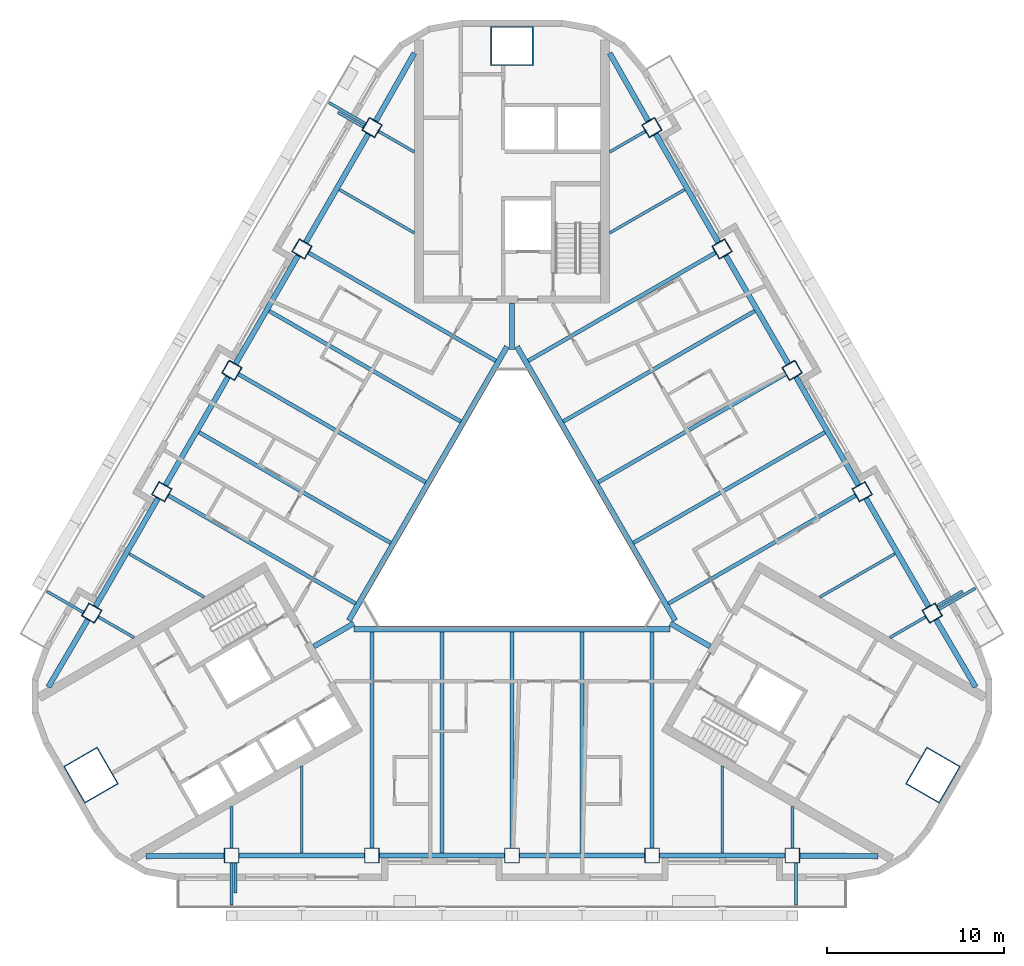
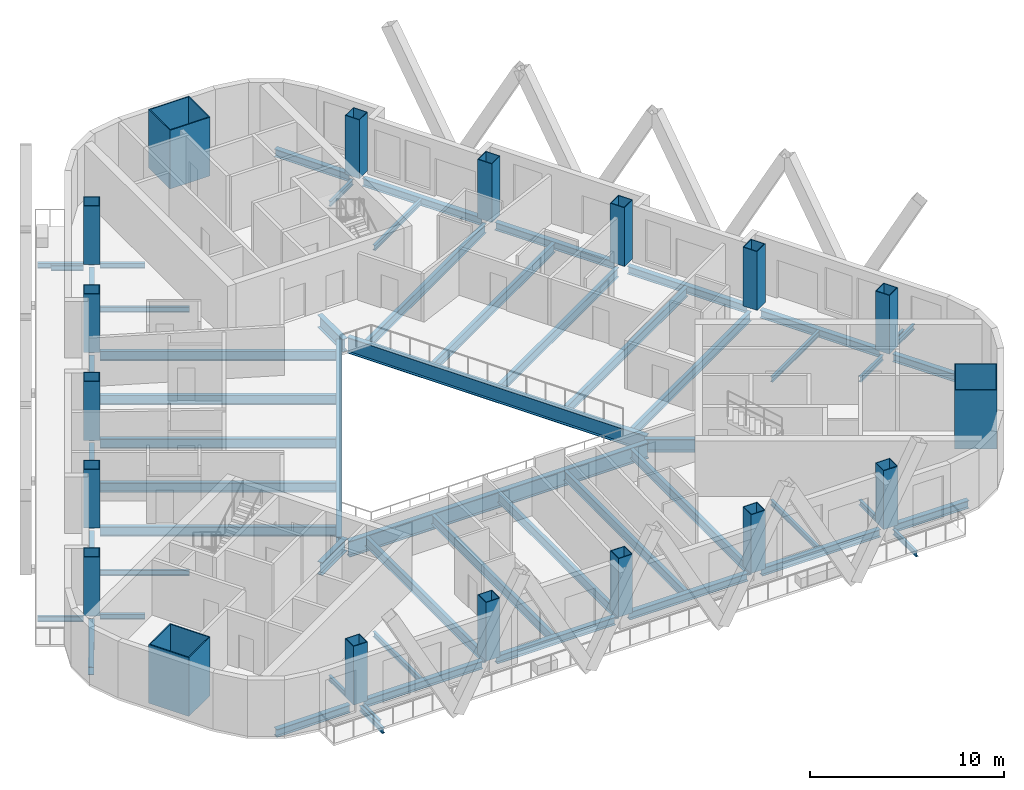
# One storey, part 1 of 14: 59 beams, 18 columns.
"""IFC4 building model written with IfcOpenShell, lengths in metres."""

from ifc_helpers import new_model, si_unit, direction, frame, origin, origin_2d, place, context, subcontext, project, spatial, rectangle, hollow_rectangle, i_section, extrude, material, material_profile, profile_set, type_object, element, save


model = new_model("IFC4")

# Units and contexts
model_context = context("Model", 3, precision=1e-05, world=origin(), true_north=direction((0.0, 1.0)))
body_context = subcontext(model_context, "Body", "Model", "MODEL_VIEW")
ifc_project = project(units=[si_unit("LENGTHUNIT", "METRE"), si_unit("AREAUNIT", "SQUARE_METRE"), si_unit("VOLUMEUNIT", "CUBIC_METRE"), si_unit("PLANEANGLEUNIT", "RADIAN"), si_unit("MASSUNIT", "GRAM", prefix="KILO")], contexts=[model_context])

# Site, building, storey
site_placement = place(None, origin())
site = spatial("IfcSite", under=ifc_project, at=site_placement, CompositionType="ELEMENT")
building_placement = place(site_placement, origin())
building = spatial("IfcBuilding", under=site, at=building_placement, Name="Apuvela Tower Hotel", CompositionType="ELEMENT")
storey_placement = place(building_placement, frame((0.0, 0.0, 154.0)))
storey = spatial("IfcBuildingStorey", under=building, at=storey_placement, Name="L36", CompositionType="ELEMENT", Elevation=154.0)

# Columns
ifc_material_1 = material(Name="Steel S460", Category="steel")
ifc_material_profile_1 = material_profile(ifc_material_1, hollow_rectangle(XDim=2.39990234375, YDim=2.199951171875, WallThickness=0.06005859375, at=origin_2d()), Name="BOX 2400x2200x60")
ifc_material_2 = material(Name="Concrete C80/95", Category="concrete")
ifc_material_profile_2 = material_profile(ifc_material_2, rectangle(XDim=2.280029296875, YDim=2.080078125, at=origin_2d()), Name="Concrete C80/95 infill")
ifc_profile_set_1 = profile_set([ifc_material_profile_1, ifc_material_profile_2], Name="Steel S460")
column_type_1 = type_object("IfcColumnType", Name="STR-MC mega column BOX 2400x2200x60", PredefinedType="COLUMN", material=ifc_profile_set_1)
for number, where, z_axis, x_axis, name in (
    (1, (0.0, 27.39990234375, 0.0), (0.0, 0.0, 1.0), (1.0, 0.0, 0.0), "Mega column MC3 N"),
    (2, (-23.72900390625, -13.699951171875, 0.0), (0.0, 0.0, 1.0), (-0.5, 0.866025403784, 0.0), "Mega column MC3 SW"),
    (3, (23.72900390625, -13.699951171875, 0.0), (0.0, 0.0, 1.0), (0.5, 0.866025403784, 0.0), "Mega column MC3 SE"),
):
    element("IfcColumn", number, at=place(storey_placement, frame(where, z_axis=z_axis, x_axis=x_axis)), inside=storey, type_object=column_type_1, Name=name, PredefinedType="COLUMN", context=body_context, shape_type="SweptSolid", body=[
        extrude(hollow_rectangle(XDim=2.39990234375, YDim=2.199951171875, WallThickness=0.06005859375, at=origin_2d()), origin(), (0.0, 0.0, 1.0), 3.699951171875),
    ])
ifc_material_profile_3 = material_profile(ifc_material_1, hollow_rectangle(XDim=0.85009765625, YDim=0.85009765625, WallThickness=0.0400390625, at=origin_2d()), Name="BOX 850x850x40")
ifc_material_profile_4 = material_profile(ifc_material_2, rectangle(XDim=0.77001953125, YDim=0.77001953125, at=origin_2d()), Name="Concrete C80/95 infill")
ifc_profile_set_2 = profile_set([ifc_material_profile_3, ifc_material_profile_4], Name="Steel S460")
column_type_2 = type_object("IfcColumnType", Name="STR-PC perimeter column BOX 850x850x40", PredefinedType="COLUMN", material=ifc_profile_set_2)
for number, where, z_axis, x_axis, name in (
    (4, (-15.800048828125, -18.22998046875, 0.0), (0.0, 0.0, 1.0), (-1.0, 0.0, 0.0), "Perimeter column C4 S1"),
    (5, (-7.89990234375, -18.22998046875, 0.0), (0.0, 0.0, 1.0), (-1.0, 0.0, 0.0), "Perimeter column C4 S2"),
    (6, (0.0, -18.22998046875, 0.0), (0.0, 0.0, 1.0), (-1.0, 0.0, 0.0), "Perimeter column C4 S3"),
    (7, (7.89990234375, -18.22998046875, 0.0), (0.0, 0.0, 1.0), (-1.0, 0.0, 0.0), "Perimeter column C4 S4"),
    (8, (15.800048828125, -18.22998046875, 0.0), (0.0, 0.0, 1.0), (-1.0, 0.0, 0.0), "Perimeter column C4 S5"),
    (9, (23.6875, -4.568115234375, 0.0), (0.0, 0.0, 1.0), (-0.5, 0.866025403784, 0.0), "Perimeter column C4 NE1"),
    (10, (19.737548828125, 2.2734375, 0.0), (0.0, 0.0, 1.0), (-0.5, 0.866025403784, 0.0), "Perimeter column C4 NE2"),
    (11, (15.78759765625, 9.114990234375, 0.0), (0.0, 0.0, 1.0), (-0.5, 0.866025403784, 0.0), "Perimeter column C4 NE3"),
    (12, (11.837646484375, 15.95654296875, 0.0), (0.0, 0.0, 1.0), (-0.5, 0.866025403784, 0.0), "Perimeter column C4 NE4"),
    (13, (7.8876953125, 22.798095703125, 0.0), (0.0, 0.0, 1.0), (-0.5, 0.866025403784, 0.0), "Perimeter column C4 NE5"),
    (14, (-7.8876953125, 22.798095703125, 0.0), (0.0, 0.0, 1.0), (0.5, 0.866025403784, 0.0), "Perimeter column C4 NW1"),
    (15, (-11.837646484375, 15.95654296875, 0.0), (0.0, 0.0, 1.0), (0.5, 0.866025403784, 0.0), "Perimeter column C4 NW2"),
    (16, (-15.78759765625, 9.114990234375, 0.0), (0.0, 0.0, 1.0), (0.5, 0.866025403784, 0.0), "Perimeter column C4 NW3"),
    (17, (-19.737548828125, 2.2734375, 0.0), (0.0, 0.0, 1.0), (0.5, 0.866025403784, 0.0), "Perimeter column C4 NW4"),
    (18, (-23.6875, -4.568115234375, 0.0), (0.0, 0.0, 1.0), (0.5, 0.866025403784, 0.0), "Perimeter column C4 NW5"),
):
    element("IfcColumn", number, at=place(storey_placement, frame(where, z_axis=z_axis, x_axis=x_axis)), inside=storey, type_object=column_type_2, Name=name, PredefinedType="COLUMN", context=body_context, shape_type="SweptSolid", body=[
        extrude(hollow_rectangle(XDim=0.85009765625, YDim=0.85009765625, WallThickness=0.0400390625, at=origin_2d()), origin(), (0.0, 0.0, 1.0), 3.699951171875),
    ])

# Beams
ifc_material_3 = material(Name="Steel S355", Category="steel")
ifc_material_profile_5 = material_profile(ifc_material_3, i_section(OverallWidth=0.159912109375, OverallDepth=0.330078125, WebThickness=0.007568359375, FlangeThickness=0.011474609375, at=origin_2d()), Name="IPE 330")
ifc_profile_set_3 = profile_set([ifc_material_profile_5], Name="Steel S355")
beam_type_1 = type_object("IfcBeamType", Name="ENV-BALCONY-BEAM-IPE330", PredefinedType="BEAM", material=ifc_profile_set_3)
beam_1_placement = place(storey_placement, frame((-15.800048828125, -18.655029296875, -0.31494140625), z_axis=(0.0, -1.0, 0.0), x_axis=(1.0, 0.0, 0.0)))
element("IfcBeam", 19, at=beam_1_placement, inside=storey, type_object=beam_type_1, Name="Balcony cantilever beam S1 L36", PredefinedType="BEAM", context=body_context, shape_type="SweptSolid", body=[
    extrude(i_section(OverallWidth=0.159912109375, OverallDepth=0.330078125, WebThickness=0.007568359375, FlangeThickness=0.011474609375, at=origin_2d()), origin(), (0.0, 0.0, 1.0), 2.375),
])
beam_2_placement = place(storey_placement, frame((-15.580078125, -18.655029296875, -0.31494140625), z_axis=(0.0, -1.0, 0.0), x_axis=(1.0, 0.0, 0.0)))
element("IfcBeam", 20, at=beam_2_placement, inside=storey, type_object=beam_type_1, Name="Balcony cantilever beam S2 L36", PredefinedType="BEAM", context=body_context, shape_type="SweptSolid", body=[
    extrude(i_section(OverallWidth=0.159912109375, OverallDepth=0.330078125, WebThickness=0.007568359375, FlangeThickness=0.011474609375, at=origin_2d()), origin(), (0.0, 0.0, 1.0), 1.675048828125),
])
for number, where, z_axis, x_axis, name in (
    (21, (16.0, -18.655029296875, -0.31494140625), (0.0, -1.0, 0.0), (1.0, 0.0, 0.0), "Balcony cantilever beam S3 L36"),
    (22, (24.0556640625, -4.355712890625, -0.31494140625), (0.866033238375, 0.499986429846, 0.0), (-0.499986429846, 0.866033238375, 0.0), "Balcony cantilever beam NE1 L36"),
):
    element("IfcBeam", number, at=place(storey_placement, frame(where, z_axis=z_axis, x_axis=x_axis)), inside=storey, type_object=beam_type_1, Name=name, PredefinedType="BEAM", context=body_context, shape_type="SweptSolid", body=[
        extrude(i_section(OverallWidth=0.159912109375, OverallDepth=0.330078125, WebThickness=0.007568359375, FlangeThickness=0.011474609375, at=origin_2d()), origin(), (0.0, 0.0, 1.0), 2.375),
    ])
beam_3_placement = place(storey_placement, frame((23.94580078125, -4.165283203125, -0.31494140625), z_axis=(0.865964676353, 0.500105168249, 0.0), x_axis=(-0.500105168249, 0.865964676353, 0.0)))
element("IfcBeam", 23, at=beam_3_placement, inside=storey, type_object=beam_type_1, Name="Balcony cantilever beam NE2 L36", PredefinedType="BEAM", context=body_context, shape_type="SweptSolid", body=[
    extrude(i_section(OverallWidth=0.159912109375, OverallDepth=0.330078125, WebThickness=0.007568359375, FlangeThickness=0.011474609375, at=origin_2d()), origin(), (0.0, 0.0, 1.0), 1.675048828125),
])
beam_4_placement = place(storey_placement, frame((-8.255615234375, 23.0107421875, -0.31494140625), z_axis=(-0.866033238375, 0.499986429846, 0.0), x_axis=(-0.499986429846, -0.866033238375, 0.0)))
element("IfcBeam", 24, at=beam_4_placement, inside=storey, type_object=beam_type_1, Name="Balcony cantilever beam NW1 L36", PredefinedType="BEAM", context=body_context, shape_type="SweptSolid", body=[
    extrude(i_section(OverallWidth=0.159912109375, OverallDepth=0.330078125, WebThickness=0.007568359375, FlangeThickness=0.011474609375, at=origin_2d()), origin(), (0.0, 0.0, 1.0), 2.375),
])
beam_5_placement = place(storey_placement, frame((-8.36572265625, 22.8203125, -0.31494140625), z_axis=(-0.866064234506, 0.499932737185, 0.0), x_axis=(-0.499932737185, -0.866064234506, 0.0)))
element("IfcBeam", 25, at=beam_5_placement, inside=storey, type_object=beam_type_1, Name="Balcony cantilever beam NW2 L36", PredefinedType="BEAM", context=body_context, shape_type="SweptSolid", body=[
    extrude(i_section(OverallWidth=0.159912109375, OverallDepth=0.330078125, WebThickness=0.007568359375, FlangeThickness=0.011474609375, at=origin_2d()), origin(), (0.0, 0.0, 1.0), 1.675048828125),
])
beam_6_placement = place(storey_placement, frame((-24.15576171875, -4.52880859375, -0.31494140625), z_axis=(-0.866007538022, 0.500030943131, 0.0), x_axis=(-0.500030943131, -0.866007538022, 0.0)))
element("IfcBeam", 26, at=beam_6_placement, inside=storey, type_object=beam_type_1, Name="Balcony cantilever beam NW3 L36", PredefinedType="BEAM", context=body_context, shape_type="SweptSolid", body=[
    extrude(i_section(OverallWidth=0.159912109375, OverallDepth=0.330078125, WebThickness=0.007568359375, FlangeThickness=0.011474609375, at=origin_2d()), origin(), (0.0, 0.0, 1.0), 2.374755859375),
])
ifc_material_profile_6 = material_profile(ifc_material_3, i_section(OverallWidth=0.159912109375, OverallDepth=0.330078125, WebThickness=0.007568359375, FlangeThickness=0.011474609375, at=origin_2d()), Name="IPE 330")
ifc_profile_set_4 = profile_set([ifc_material_profile_6], Name="Steel S355")
beam_type_2 = type_object("IfcBeamType", Name="STR-B floor beam IPE 330", PredefinedType="BEAM", material=ifc_profile_set_4)
beam_7_placement = place(storey_placement, frame((23.319580078125, -4.78076171875, -0.31494140625), z_axis=(-0.866018215049, -0.500012451049, 0.0), x_axis=(0.500012451049, -0.866018215049, 0.0)))
element("IfcBeam", 27, at=beam_7_placement, inside=storey, type_object=beam_type_2, Name="Floor beam B1 NE1", PredefinedType="BEAM", context=body_context, shape_type="SweptSolid", body=[
    extrude(i_section(OverallWidth=0.159912109375, OverallDepth=0.330078125, WebThickness=0.007568359375, FlangeThickness=0.011474609375, at=origin_2d()), origin(), (0.0, 0.0, 1.0), 2.33203125),
])
for number, where, z_axis, x_axis, name in (
    (28, (21.582763671875, -1.222412109375, -0.31494140625), (-0.866015056278, -0.500017921979, 0.0), (0.500017921979, -0.866015056278, 0.0), "Floor beam B1 NE2"),
    (29, (9.732666015625, 19.302490234375, -0.31494140625), (-0.866015056278, -0.500017921979, 0.0), (0.500017921979, -0.866015056278, 0.0), "Floor beam B1 NE8"),
):
    element("IfcBeam", number, at=place(storey_placement, frame(where, z_axis=z_axis, x_axis=x_axis)), inside=storey, type_object=beam_type_2, Name=name, PredefinedType="BEAM", context=body_context, shape_type="SweptSolid", body=[
        extrude(i_section(OverallWidth=0.159912109375, OverallDepth=0.330078125, WebThickness=0.007568359375, FlangeThickness=0.011474609375, at=origin_2d()), origin(), (0.0, 0.0, 1.0), 4.887451171875),
    ])
for number, where, z_axis, x_axis, name in (
    (30, (7.51953125, 22.585693359375, -0.31494140625), (-0.866018215049, -0.500012451049, 0.0), (0.500012451049, -0.866018215049, 0.0), "Floor beam B1 NE9"),
    (31, (-7.51953125, 22.585693359375, -0.31494140625), (0.866018215049, -0.500012451049, 0.0), (0.500012451049, 0.866018215049, 0.0), "Floor beam B1 NW1"),
):
    element("IfcBeam", number, at=place(storey_placement, frame(where, z_axis=z_axis, x_axis=x_axis)), inside=storey, type_object=beam_type_2, Name=name, PredefinedType="BEAM", context=body_context, shape_type="SweptSolid", body=[
        extrude(i_section(OverallWidth=0.159912109375, OverallDepth=0.330078125, WebThickness=0.007568359375, FlangeThickness=0.011474609375, at=origin_2d()), origin(), (0.0, 0.0, 1.0), 2.33203125),
    ])
for number, where, z_axis, x_axis, name in (
    (32, (-9.732666015625, 19.302490234375, -0.31494140625), (0.866015056278, -0.500017921979, 0.0), (0.500017921979, 0.866015056278, 0.0), "Floor beam B1 NW2"),
    (33, (-21.582763671875, -1.222412109375, -0.31494140625), (0.866015056278, -0.500017921979, 0.0), (0.500017921979, 0.866015056278, 0.0), "Floor beam B1 NW8"),
):
    element("IfcBeam", number, at=place(storey_placement, frame(where, z_axis=z_axis, x_axis=x_axis)), inside=storey, type_object=beam_type_2, Name=name, PredefinedType="BEAM", context=body_context, shape_type="SweptSolid", body=[
        extrude(i_section(OverallWidth=0.159912109375, OverallDepth=0.330078125, WebThickness=0.007568359375, FlangeThickness=0.011474609375, at=origin_2d()), origin(), (0.0, 0.0, 1.0), 4.887451171875),
    ])
for number, where, z_axis, x_axis, name in (
    (34, (-23.319580078125, -4.78076171875, -0.31494140625), (0.866018215049, -0.500012451049, 0.0), (0.500012451049, 0.866018215049, 0.0), "Floor beam B1 NW9"),
    (35, (-15.800048828125, -17.804931640625, -0.31494140625), (0.0, 1.0, 0.0), (-1.0, 0.0, 0.0), "Floor beam B1 S1"),
):
    element("IfcBeam", number, at=place(storey_placement, frame(where, z_axis=z_axis, x_axis=x_axis)), inside=storey, type_object=beam_type_2, Name=name, PredefinedType="BEAM", context=body_context, shape_type="SweptSolid", body=[
        extrude(i_section(OverallWidth=0.159912109375, OverallDepth=0.330078125, WebThickness=0.007568359375, FlangeThickness=0.011474609375, at=origin_2d()), origin(), (0.0, 0.0, 1.0), 2.33203125),
    ])
for number, where, z_axis, x_axis, name in (
    (36, (-11.85009765625, -18.080078125, -0.31494140625), (0.0, 1.0, 0.0), (-1.0, 0.0, 0.0), "Floor beam B1 S2"),
    (37, (11.85009765625, -18.080078125, -0.31494140625), (0.0, 1.0, 0.0), (-1.0, 0.0, 0.0), "Floor beam B1 S8"),
):
    element("IfcBeam", number, at=place(storey_placement, frame(where, z_axis=z_axis, x_axis=x_axis)), inside=storey, type_object=beam_type_2, Name=name, PredefinedType="BEAM", context=body_context, shape_type="SweptSolid", body=[
        extrude(i_section(OverallWidth=0.159912109375, OverallDepth=0.330078125, WebThickness=0.007568359375, FlangeThickness=0.011474609375, at=origin_2d()), origin(), (0.0, 0.0, 1.0), 4.8876953125),
    ])
beam_8_placement = place(storey_placement, frame((15.800048828125, -17.804931640625, -0.31494140625), z_axis=(0.0, 1.0, 0.0), x_axis=(-1.0, 0.0, 0.0)))
element("IfcBeam", 38, at=beam_8_placement, inside=storey, type_object=beam_type_2, Name="Floor beam B1 S9", PredefinedType="BEAM", context=body_context, shape_type="SweptSolid", body=[
    extrude(i_section(OverallWidth=0.159912109375, OverallDepth=0.330078125, WebThickness=0.007568359375, FlangeThickness=0.011474609375, at=origin_2d()), origin(), (0.0, 0.0, 1.0), 2.33203125),
])
ifc_material_profile_7 = material_profile(ifc_material_3, i_section(OverallWidth=0.219970703125, OverallDepth=0.60009765625, WebThickness=0.011962890625, FlangeThickness=0.01904296875, at=origin_2d()), Name="IPE 600")
ifc_profile_set_5 = profile_set([ifc_material_profile_7], Name="Steel S355")
beam_type_3 = type_object("IfcBeamType", Name="STR-B floor beam IPE 600", PredefinedType="BEAM", material=ifc_profile_set_5)
beam_9_placement = place(storey_placement, frame((19.36962890625, 2.060791015625, -0.449951171875), z_axis=(-0.866032437209, -0.499987817553, 0.0), x_axis=(0.499987817553, -0.866032437209, 0.0)))
element("IfcBeam", 39, at=beam_9_placement, inside=storey, type_object=beam_type_3, Name="Floor beam B8 NE3", PredefinedType="BEAM", context=body_context, shape_type="SweptSolid", body=[
    extrude(i_section(OverallWidth=0.219970703125, OverallDepth=0.60009765625, WebThickness=0.011962890625, FlangeThickness=0.01904296875, at=origin_2d()), origin(), (0.0, 0.0, 1.0), 12.184814453125),
])
beam_10_placement = place(storey_placement, frame((17.6328125, 5.619140625, -0.449951171875), z_axis=(-0.866027987673, -0.499995524547, 0.0), x_axis=(0.499995524547, -0.866027987673, 0.0)))
element("IfcBeam", 40, at=beam_10_placement, inside=storey, type_object=beam_type_3, Name="Floor beam B8 NE4", PredefinedType="BEAM", context=body_context, shape_type="SweptSolid", body=[
    extrude(i_section(OverallWidth=0.219970703125, OverallDepth=0.60009765625, WebThickness=0.011962890625, FlangeThickness=0.01904296875, at=origin_2d()), origin(), (0.0, 0.0, 1.0), 12.4599609375),
])
beam_11_placement = place(storey_placement, frame((15.419677734375, 8.902587890625, -0.449951171875), z_axis=(-0.8660237613, -0.500002844856, 0.0), x_axis=(0.500002844856, -0.8660237613, 0.0)))
element("IfcBeam", 41, at=beam_11_placement, inside=storey, type_object=beam_type_3, Name="Floor beam B8 NE5", PredefinedType="BEAM", context=body_context, shape_type="SweptSolid", body=[
    extrude(i_section(OverallWidth=0.219970703125, OverallDepth=0.60009765625, WebThickness=0.011962890625, FlangeThickness=0.01904296875, at=origin_2d()), origin(), (0.0, 0.0, 1.0), 12.18505859375),
])
beam_12_placement = place(storey_placement, frame((13.6826171875, 12.460693359375, -0.449951171875), z_axis=(-0.866023089177, -0.500004008996, 0.0), x_axis=(0.500004008996, -0.866023089177, 0.0)))
element("IfcBeam", 42, at=beam_12_placement, inside=storey, type_object=beam_type_3, Name="Floor beam B8 NE6", PredefinedType="BEAM", context=body_context, shape_type="SweptSolid", body=[
    extrude(i_section(OverallWidth=0.219970703125, OverallDepth=0.60009765625, WebThickness=0.011962890625, FlangeThickness=0.01904296875, at=origin_2d()), origin(), (0.0, 0.0, 1.0), 12.4599609375),
])
for number, where, z_axis, x_axis, name in (
    (43, (11.469482421875, 15.744140625, -0.449951171875), (-0.8660237613, -0.500002844856, 0.0), (0.500002844856, -0.8660237613, 0.0), "Floor beam B8 NE7"),
    (44, (-11.469482421875, 15.744140625, -0.449951171875), (0.8660237613, -0.500002844856, 0.0), (0.500002844856, 0.8660237613, 0.0), "Floor beam B8 NW3"),
):
    element("IfcBeam", number, at=place(storey_placement, frame(where, z_axis=z_axis, x_axis=x_axis)), inside=storey, type_object=beam_type_3, Name=name, PredefinedType="BEAM", context=body_context, shape_type="SweptSolid", body=[
        extrude(i_section(OverallWidth=0.219970703125, OverallDepth=0.60009765625, WebThickness=0.011962890625, FlangeThickness=0.01904296875, at=origin_2d()), origin(), (0.0, 0.0, 1.0), 12.18505859375),
    ])
beam_13_placement = place(storey_placement, frame((-13.6826171875, 12.460693359375, -0.449951171875), z_axis=(0.866023089177, -0.500004008996, 0.0), x_axis=(0.500004008996, 0.866023089177, 0.0)))
element("IfcBeam", 45, at=beam_13_placement, inside=storey, type_object=beam_type_3, Name="Floor beam B8 NW4", PredefinedType="BEAM", context=body_context, shape_type="SweptSolid", body=[
    extrude(i_section(OverallWidth=0.219970703125, OverallDepth=0.60009765625, WebThickness=0.011962890625, FlangeThickness=0.01904296875, at=origin_2d()), origin(), (0.0, 0.0, 1.0), 12.4599609375),
])
beam_14_placement = place(storey_placement, frame((-15.419677734375, 8.902587890625, -0.449951171875), z_axis=(0.8660237613, -0.500002844856, 0.0), x_axis=(0.500002844856, 0.8660237613, 0.0)))
element("IfcBeam", 46, at=beam_14_placement, inside=storey, type_object=beam_type_3, Name="Floor beam B8 NW5", PredefinedType="BEAM", context=body_context, shape_type="SweptSolid", body=[
    extrude(i_section(OverallWidth=0.219970703125, OverallDepth=0.60009765625, WebThickness=0.011962890625, FlangeThickness=0.01904296875, at=origin_2d()), origin(), (0.0, 0.0, 1.0), 12.18505859375),
])
beam_15_placement = place(storey_placement, frame((-17.6328125, 5.619140625, -0.449951171875), z_axis=(0.866027987673, -0.499995524547, 0.0), x_axis=(0.499995524547, 0.866027987673, 0.0)))
element("IfcBeam", 47, at=beam_15_placement, inside=storey, type_object=beam_type_3, Name="Floor beam B8 NW6", PredefinedType="BEAM", context=body_context, shape_type="SweptSolid", body=[
    extrude(i_section(OverallWidth=0.219970703125, OverallDepth=0.60009765625, WebThickness=0.011962890625, FlangeThickness=0.01904296875, at=origin_2d()), origin(), (0.0, 0.0, 1.0), 12.4599609375),
])
for number, where, z_axis, x_axis, name in (
    (48, (-19.36962890625, 2.060791015625, -0.449951171875), (0.866032437209, -0.499987817553, 0.0), (0.499987817553, 0.866032437209, 0.0), "Floor beam B8 NW7"),
    (49, (-7.89990234375, -17.804931640625, -0.449951171875), (0.0, 1.0, 0.0), (-1.0, 0.0, 0.0), "Floor beam B8 S3"),
):
    element("IfcBeam", number, at=place(storey_placement, frame(where, z_axis=z_axis, x_axis=x_axis)), inside=storey, type_object=beam_type_3, Name=name, PredefinedType="BEAM", context=body_context, shape_type="SweptSolid", body=[
        extrude(i_section(OverallWidth=0.219970703125, OverallDepth=0.60009765625, WebThickness=0.011962890625, FlangeThickness=0.01904296875, at=origin_2d()), origin(), (0.0, 0.0, 1.0), 12.184814453125),
    ])
beam_16_placement = place(storey_placement, frame((-3.949951171875, -18.080078125, -0.449951171875), z_axis=(0.0, 1.0, 0.0), x_axis=(-1.0, 0.0, 0.0)))
element("IfcBeam", 50, at=beam_16_placement, inside=storey, type_object=beam_type_3, Name="Floor beam B8 S4", PredefinedType="BEAM", context=body_context, shape_type="SweptSolid", body=[
    extrude(i_section(OverallWidth=0.219970703125, OverallDepth=0.60009765625, WebThickness=0.011962890625, FlangeThickness=0.01904296875, at=origin_2d()), origin(), (0.0, 0.0, 1.0), 12.4599609375),
])
beam_17_placement = place(storey_placement, frame((0.0, -17.804931640625, -0.449951171875), z_axis=(0.0, 1.0, 0.0), x_axis=(-1.0, 0.0, 0.0)))
element("IfcBeam", 51, at=beam_17_placement, inside=storey, type_object=beam_type_3, Name="Floor beam B8 S5", PredefinedType="BEAM", context=body_context, shape_type="SweptSolid", body=[
    extrude(i_section(OverallWidth=0.219970703125, OverallDepth=0.60009765625, WebThickness=0.011962890625, FlangeThickness=0.01904296875, at=origin_2d()), origin(), (0.0, 0.0, 1.0), 12.184814453125),
])
beam_18_placement = place(storey_placement, frame((3.949951171875, -18.080078125, -0.449951171875), z_axis=(0.0, 1.0, 0.0), x_axis=(-1.0, 0.0, 0.0)))
element("IfcBeam", 52, at=beam_18_placement, inside=storey, type_object=beam_type_3, Name="Floor beam B8 S6", PredefinedType="BEAM", context=body_context, shape_type="SweptSolid", body=[
    extrude(i_section(OverallWidth=0.219970703125, OverallDepth=0.60009765625, WebThickness=0.011962890625, FlangeThickness=0.01904296875, at=origin_2d()), origin(), (0.0, 0.0, 1.0), 12.4599609375),
])
beam_19_placement = place(storey_placement, frame((7.89990234375, -17.804931640625, -0.449951171875), z_axis=(0.0, 1.0, 0.0), x_axis=(-1.0, 0.0, 0.0)))
element("IfcBeam", 53, at=beam_19_placement, inside=storey, type_object=beam_type_3, Name="Floor beam B8 S7", PredefinedType="BEAM", context=body_context, shape_type="SweptSolid", body=[
    extrude(i_section(OverallWidth=0.219970703125, OverallDepth=0.60009765625, WebThickness=0.011962890625, FlangeThickness=0.01904296875, at=origin_2d()), origin(), (0.0, 0.0, 1.0), 12.184814453125),
])
ifc_material_profile_8 = material_profile(ifc_material_3, i_section(OverallWidth=0.300048828125, OverallDepth=1.0, WebThickness=0.01904296875, FlangeThickness=0.035888671875, at=origin_2d()), Name="HE 1000 B")
ifc_profile_set_6 = profile_set([ifc_material_profile_8], Name="Steel S355")
beam_type_4 = type_object("IfcBeamType", Name="STR-G atrium ring girder HE 1000 B", PredefinedType="BEAM", material=ifc_profile_set_6)
beam_20_placement = place(storey_placement, frame((-0.27978515625, 10.455078125, -0.64990234375), z_axis=(-0.500006541319, -0.866021627119, 0.0), x_axis=(0.866021627119, -0.500006541319, 0.0)))
element("IfcBeam", 54, at=beam_20_placement, inside=storey, type_object=beam_type_4, Name="Atrium ring girder G2 N-SW", PredefinedType="BEAM", context=body_context, shape_type="SweptSolid", body=[
    extrude(i_section(OverallWidth=0.300048828125, OverallDepth=1.0, WebThickness=0.01904296875, FlangeThickness=0.035888671875, at=origin_2d()), origin(), (0.0, 0.0, 1.0), 17.828857421875),
])
beam_21_placement = place(storey_placement, frame((-8.91455078125, -5.469970703125, -0.64990234375), z_axis=(1.0, 0.0, 0.0), x_axis=(0.0, 1.0, 0.0)))
element("IfcBeam", 55, at=beam_21_placement, inside=storey, type_object=beam_type_4, Name="Atrium ring girder G2 SW-SE", PredefinedType="BEAM", context=body_context, shape_type="SweptSolid", body=[
    extrude(i_section(OverallWidth=0.300048828125, OverallDepth=1.0, WebThickness=0.01904296875, FlangeThickness=0.035888671875, at=origin_2d()), origin(), (0.0, 0.0, 1.0), 17.8291015625),
])
beam_22_placement = place(storey_placement, frame((9.1943359375, -4.985107421875, -0.64990234375), z_axis=(-0.500006541319, 0.866021627119, 0.0), x_axis=(-0.866021627119, -0.500006541319, 0.0)))
element("IfcBeam", 56, at=beam_22_placement, inside=storey, type_object=beam_type_4, Name="Atrium ring girder G2 SE-N", PredefinedType="BEAM", context=body_context, shape_type="SweptSolid", body=[
    extrude(i_section(OverallWidth=0.300048828125, OverallDepth=1.0, WebThickness=0.01904296875, FlangeThickness=0.035888671875, at=origin_2d()), origin(), (0.0, 0.0, 1.0), 17.828857421875),
])
ifc_material_profile_9 = material_profile(ifc_material_3, i_section(OverallWidth=0.300048828125, OverallDepth=0.800048828125, WebThickness=0.017578125, FlangeThickness=0.032958984375, at=origin_2d()), Name="HE 800 B")
ifc_profile_set_7 = profile_set([ifc_material_profile_9], Name="Steel S355")
beam_type_5 = type_object("IfcBeamType", Name="STR-GT core tie beam HE 800 B", PredefinedType="BEAM", material=ifc_profile_set_7)
for number, where, z_axis, x_axis, name in (
    (57, (0.0, 12.89990234375, -0.550048828125), (0.0, -1.0, 0.0), (1.0, 0.0, 0.0), "Core tie beam GT1 N"),
    (58, (-11.171630859375, -6.449951171875, -0.550048828125), (0.865997922154, 0.500047596559, 0.0), (-0.500047596559, 0.865997922154, 0.0), "Core tie beam GT1 SW"),
    (59, (11.171630859375, -6.449951171875, -0.550048828125), (-0.865997922154, 0.500047596559, 0.0), (-0.500047596559, -0.865997922154, 0.0), "Core tie beam GT1 SE"),
):
    element("IfcBeam", number, at=place(storey_placement, frame(where, z_axis=z_axis, x_axis=x_axis)), inside=storey, type_object=beam_type_5, Name=name, PredefinedType="BEAM", context=body_context, shape_type="SweptSolid", body=[
        extrude(i_section(OverallWidth=0.300048828125, OverallDepth=0.800048828125, WebThickness=0.017578125, FlangeThickness=0.032958984375, at=origin_2d()), origin(), (0.0, 0.0, 1.0), 2.599853515625),
    ])
ifc_material_profile_10 = material_profile(ifc_material_3, i_section(OverallWidth=0.300048828125, OverallDepth=0.489990234375, WebThickness=0.011962890625, FlangeThickness=0.02294921875, at=origin_2d()), Name="HE 500 A")
ifc_profile_set_8 = profile_set([ifc_material_profile_10], Name="Steel S355")
beam_type_6 = type_object("IfcBeamType", Name="STR-SB spandrel beam HE 500 A", PredefinedType="SPANDREL", material=ifc_profile_set_8)
for number, where, z_axis, x_axis, name in (
    (60, (-15.375, -18.22998046875, -0.39501953125), (1.0, 0.0, 0.0), (0.0, 1.0, 0.0), "Spandrel beam SB3 S1"),
    (61, (-7.47509765625, -18.22998046875, -0.39501953125), (1.0, 0.0, 0.0), (0.0, 1.0, 0.0), "Spandrel beam SB3 S2"),
    (62, (0.425048828125, -18.22998046875, -0.39501953125), (1.0, 0.0, 0.0), (0.0, 1.0, 0.0), "Spandrel beam SB3 S3"),
    (63, (8.324951171875, -18.22998046875, -0.39501953125), (1.0, 0.0, 0.0), (0.0, 1.0, 0.0), "Spandrel beam SB3 S4"),
    (64, (23.47509765625, -4.2001953125, -0.39501953125), (-0.499990246421, 0.866031034943, 0.0), (-0.866031034943, -0.499990246421, 0.0), "Spandrel beam SB3 NE1"),
):
    element("IfcBeam", number, at=place(storey_placement, frame(where, z_axis=z_axis, x_axis=x_axis)), inside=storey, type_object=beam_type_6, Name=name, PredefinedType="SPANDREL", context=body_context, shape_type="SweptSolid", body=[
        extrude(i_section(OverallWidth=0.300048828125, OverallDepth=0.489990234375, WebThickness=0.011962890625, FlangeThickness=0.02294921875, at=origin_2d()), origin(), (0.0, 0.0, 1.0), 7.050048828125),
    ])
for number, where, z_axis, x_axis, name in (
    (65, (19.525146484375, 2.6416015625, -0.39501953125), (-0.500031214443, 0.866007381368, 0.0), (-0.866007381368, -0.500031214443, 0.0), "Spandrel beam SB3 NE2"),
    (66, (15.5751953125, 9.483154296875, -0.39501953125), (-0.500031214443, 0.866007381368, 0.0), (-0.866007381368, -0.500031214443, 0.0), "Spandrel beam SB3 NE3"),
):
    element("IfcBeam", number, at=place(storey_placement, frame(where, z_axis=z_axis, x_axis=x_axis)), inside=storey, type_object=beam_type_6, Name=name, PredefinedType="SPANDREL", context=body_context, shape_type="SweptSolid", body=[
        extrude(i_section(OverallWidth=0.300048828125, OverallDepth=0.489990234375, WebThickness=0.011962890625, FlangeThickness=0.02294921875, at=origin_2d()), origin(), (0.0, 0.0, 1.0), 7.0498046875),
    ])
for number, where, z_axis, x_axis, name in (
    (67, (11.625, 16.32470703125, -0.39501953125), (-0.499990246421, 0.866031034943, 0.0), (-0.866031034943, -0.499990246421, 0.0), "Spandrel beam SB3 NE4"),
    (68, (-8.10009765625, 22.43017578125, -0.39501953125), (-0.499990246421, -0.866031034943, 0.0), (0.866031034943, -0.499990246421, 0.0), "Spandrel beam SB3 NW1"),
):
    element("IfcBeam", number, at=place(storey_placement, frame(where, z_axis=z_axis, x_axis=x_axis)), inside=storey, type_object=beam_type_6, Name=name, PredefinedType="SPANDREL", context=body_context, shape_type="SweptSolid", body=[
        extrude(i_section(OverallWidth=0.300048828125, OverallDepth=0.489990234375, WebThickness=0.011962890625, FlangeThickness=0.02294921875, at=origin_2d()), origin(), (0.0, 0.0, 1.0), 7.050048828125),
    ])
for number, where, z_axis, x_axis, name in (
    (69, (-12.050048828125, 15.58837890625, -0.39501953125), (-0.500031214443, -0.866007381368, 0.0), (0.866007381368, -0.500031214443, 0.0), "Spandrel beam SB3 NW2"),
    (70, (-16.0, 8.746826171875, -0.39501953125), (-0.500031214443, -0.866007381368, 0.0), (0.866007381368, -0.500031214443, 0.0), "Spandrel beam SB3 NW3"),
):
    element("IfcBeam", number, at=place(storey_placement, frame(where, z_axis=z_axis, x_axis=x_axis)), inside=storey, type_object=beam_type_6, Name=name, PredefinedType="SPANDREL", context=body_context, shape_type="SweptSolid", body=[
        extrude(i_section(OverallWidth=0.300048828125, OverallDepth=0.489990234375, WebThickness=0.011962890625, FlangeThickness=0.02294921875, at=origin_2d()), origin(), (0.0, 0.0, 1.0), 7.0498046875),
    ])
beam_23_placement = place(storey_placement, frame((-19.9501953125, 1.9052734375, -0.39501953125), z_axis=(-0.499990246421, -0.866031034943, 0.0), x_axis=(0.866031034943, -0.499990246421, 0.0)))
element("IfcBeam", 71, at=beam_23_placement, inside=storey, type_object=beam_type_6, Name="Spandrel beam SB3 NW4", PredefinedType="SPANDREL", context=body_context, shape_type="SweptSolid", body=[
    extrude(i_section(OverallWidth=0.300048828125, OverallDepth=0.489990234375, WebThickness=0.011962890625, FlangeThickness=0.02294921875, at=origin_2d()), origin(), (0.0, 0.0, 1.0), 7.050048828125),
])
for number, where, z_axis, x_axis, name in (
    (72, (-16.22509765625, -18.23291015625, -0.39501953125), (-0.999976414172, -0.006868122043, 0.0), (0.006868122043, -0.999976414172, 0.0), "Spandrel beam SB3 S1-SW"),
    (73, (16.22509765625, -18.23291015625, -0.39501953125), (0.999976414172, -0.006868122043, 0.0), (0.006868122043, 0.999976414172, 0.0), "Spandrel beam SB3 S5-SE"),
):
    element("IfcBeam", number, at=place(storey_placement, frame(where, z_axis=z_axis, x_axis=x_axis)), inside=storey, type_object=beam_type_6, Name=name, PredefinedType="SPANDREL", context=body_context, shape_type="SweptSolid", body=[
        extrude(i_section(OverallWidth=0.300048828125, OverallDepth=0.489990234375, WebThickness=0.011962890625, FlangeThickness=0.02294921875, at=origin_2d()), origin(), (0.0, 0.0, 1.0), 4.40771484375),
    ])
beam_24_placement = place(storey_placement, frame((23.902587890625, -4.934814453125, -0.39501953125), z_axis=(0.505966812052, -0.86255294626, 0.0), x_axis=(0.86255294626, 0.505966812052, 0.0)))
element("IfcBeam", 74, at=beam_24_placement, inside=storey, type_object=beam_type_6, Name="Spandrel beam SB3 NE1-SE", PredefinedType="SPANDREL", context=body_context, shape_type="SweptSolid", body=[
    extrude(i_section(OverallWidth=0.300048828125, OverallDepth=0.489990234375, WebThickness=0.011962890625, FlangeThickness=0.02294921875, at=origin_2d()), origin(), (0.0, 0.0, 1.0), 4.407958984375),
])
for number, where, z_axis, x_axis, name in (
    (75, (7.677734375, 23.167724609375, -0.39501953125), (-0.494061745322, 0.869426817972, 0.0), (-0.869426817972, -0.494061745322, 0.0), "Spandrel beam SB3 NE5-N"),
    (76, (-7.677734375, 23.167724609375, -0.39501953125), (0.494061745322, 0.869426817972, 0.0), (-0.869426817972, 0.494061745322, 0.0), "Spandrel beam SB3 NW1-N"),
):
    element("IfcBeam", number, at=place(storey_placement, frame(where, z_axis=z_axis, x_axis=x_axis)), inside=storey, type_object=beam_type_6, Name=name, PredefinedType="SPANDREL", context=body_context, shape_type="SweptSolid", body=[
        extrude(i_section(OverallWidth=0.300048828125, OverallDepth=0.489990234375, WebThickness=0.011962890625, FlangeThickness=0.02294921875, at=origin_2d()), origin(), (0.0, 0.0, 1.0), 4.40771484375),
    ])
beam_25_placement = place(storey_placement, frame((-23.902587890625, -4.934814453125, -0.39501953125), z_axis=(-0.505966812052, -0.86255294626, 0.0), x_axis=(0.86255294626, -0.505966812052, 0.0)))
element("IfcBeam", 77, at=beam_25_placement, inside=storey, type_object=beam_type_6, Name="Spandrel beam SB3 NW5-SW", PredefinedType="SPANDREL", context=body_context, shape_type="SweptSolid", body=[
    extrude(i_section(OverallWidth=0.300048828125, OverallDepth=0.489990234375, WebThickness=0.011962890625, FlangeThickness=0.02294921875, at=origin_2d()), origin(), (0.0, 0.0, 1.0), 4.407958984375),
])

save(model, "model.ifc")
